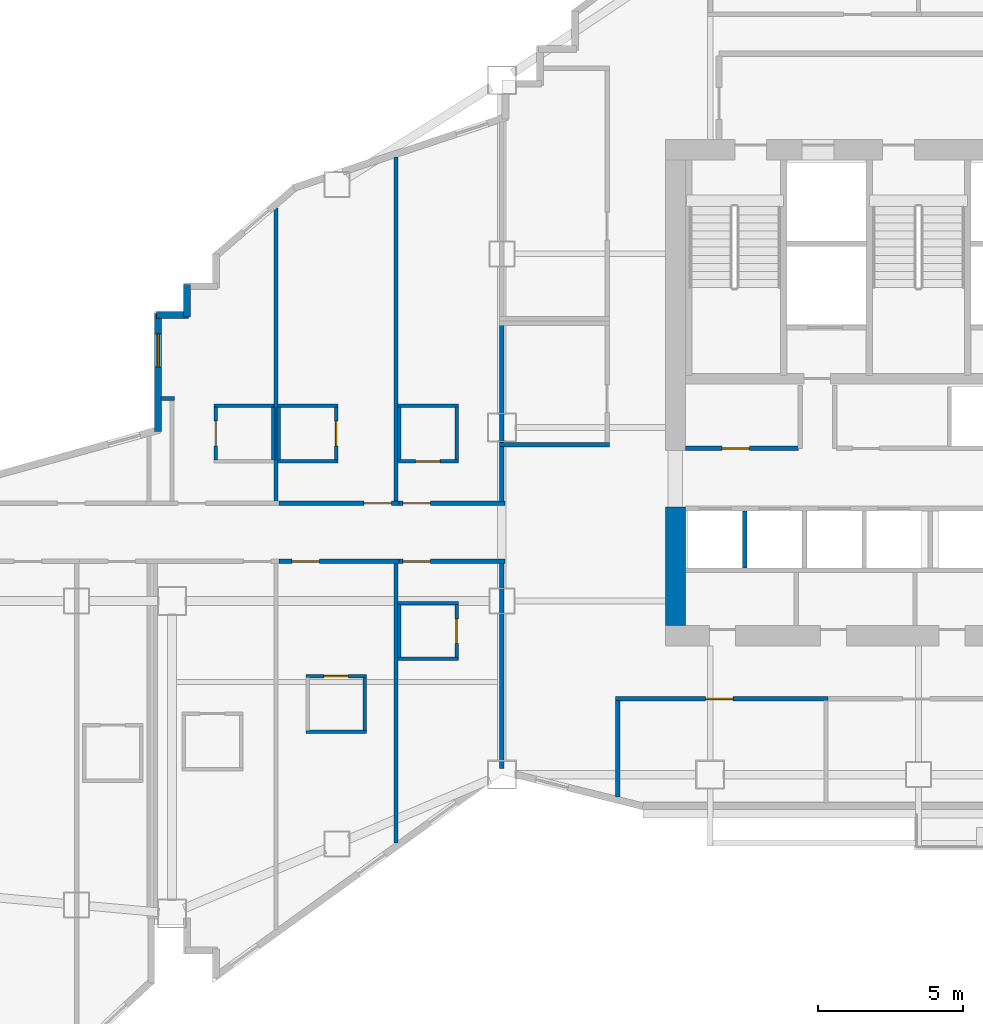
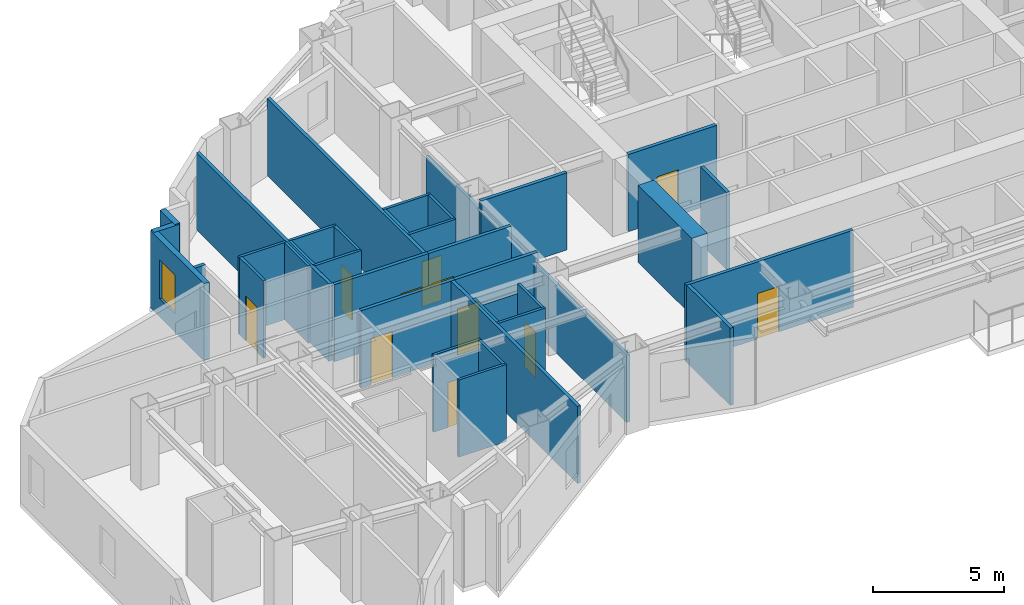
# One storey, part 8 of 15: 38 walls, 11 doors, 1 window, 12 openings.
"""IFC4 building model written with IfcOpenShell, lengths in metres."""

from ifc_helpers import new_model, si_unit, direction, frame, frame_2d, origin, place, context, subcontext, project, spatial, rectangle, extrude, material, layer, layer_set, type_object, element, fill, save


model = new_model("IFC4")

# Units and contexts
model_context = context("Model", 3, precision=1e-05, world=origin(), true_north=direction((0.0, 1.0)))
body_context = subcontext(model_context, "Body", "Model", "MODEL_VIEW")
ifc_project = project(units=[si_unit("LENGTHUNIT", "METRE"), si_unit("AREAUNIT", "SQUARE_METRE"), si_unit("VOLUMEUNIT", "CUBIC_METRE"), si_unit("PLANEANGLEUNIT", "RADIAN"), si_unit("MASSUNIT", "GRAM", prefix="KILO")], contexts=[model_context])

# Site, building, storey
site_placement = place(None, origin())
site = spatial("IfcSite", under=ifc_project, at=site_placement, CompositionType="ELEMENT")
building_placement = place(site_placement, origin())
building = spatial("IfcBuilding", under=site, at=building_placement, Name="Haolan Belvedere Tower", CompositionType="ELEMENT")
storey_placement = place(building_placement, frame((0.0, 0.0, 152.39990234375)))
storey = spatial("IfcBuildingStorey", under=building, at=storey_placement, Name="L38", CompositionType="ELEMENT", Elevation=152.39990234375)

# Walls
ifc_material_1 = material(Name="Concrete C60/75", Category="concrete")
ifc_layer_1 = layer(ifc_material_1, 0.699951171875, Name="Concrete C60/75")
ifc_layer_set_1 = layer_set([ifc_layer_1], Name="Concrete C60/75")
wall_type_1 = type_object("IfcWallType", Name="WL-CORE-700", PredefinedType="SHEAR", material=ifc_layer_set_1)
wall_1_placement = place(storey_placement, frame((30.0, 26.75, 0.0), z_axis=(0.0, 0.0, 1.0), x_axis=(0.0, 1.0, 0.0)))
element("IfcWall", 1, at=wall_1_placement, inside=storey, type_object=wall_type_1, Name="L38 central core shear wall WS", PredefinedType="SHEAR", context=body_context, shape_type="SweptSolid", body=[
    extrude(rectangle(XDim=4.10009765625, YDim=0.699951171875, at=frame_2d((2.050048828125, 0.0))), origin(), (0.0, 0.0, 1.0), 3.60009765625),
])
ifc_material_2 = material(Name="Precast concrete C40/50", Category="concrete")
ifc_layer_2 = layer(ifc_material_2, 0.239990234375, Name="Precast concrete C40/50")
ifc_layer_set_2 = layer_set([ifc_layer_2], Name="Precast concrete C40/50")
wall_type_2 = type_object("IfcWallType", Name="WL-EXT-240", PredefinedType="SOLIDWALL", material=ifc_layer_set_2)
wall_2_placement = place(storey_placement, frame((13.1201171875, 38.534912109375, 0.0), z_axis=(0.0, 0.0, 1.0), x_axis=(0.0, -1.0, 0.0)))
element("IfcWall", 2, at=wall_2_placement, inside=storey, type_object=wall_type_2, Name="L38 pale-metal exterior spandrel wall 39.1", PredefinedType="SOLIDWALL", context=body_context, shape_type="SweptSolid", body=[
    extrude(rectangle(XDim=1.10986328125, YDim=0.239990234375, at=frame_2d((0.554931640625, 0.0))), origin(), (0.0, 0.0, 1.0), 3.60009765625),
])
wall_3_placement = place(storey_placement, frame((13.175048828125, 37.47998046875, 0.0), z_axis=(0.0, 0.0, 1.0), x_axis=(-1.0, 0.0, 0.0)))
element("IfcWall", 3, at=wall_3_placement, inside=storey, type_object=wall_type_2, Name="L38 pale-metal exterior spandrel wall 40.1", PredefinedType="SOLIDWALL", context=body_context, shape_type="SweptSolid", body=[
    extrude(rectangle(XDim=1.110107421875, YDim=0.239990234375, at=frame_2d((0.55517578125, 0.0))), origin(), (0.0, 0.0, 1.0), 3.60009765625),
])

# Wall, opening, window
wall_4_placement = place(storey_placement, frame((12.1201171875, 37.534912109375, 0.0), z_axis=(0.0, 0.0, 1.0), x_axis=(0.0, -1.0, 0.0)))
wall_4 = element("IfcWall", 4, at=wall_4_placement, inside=storey, type_object=wall_type_2, Name="L38 pale-metal exterior spandrel wall 41.1", PredefinedType="SOLIDWALL", context=body_context, shape_type="SweptSolid", body=[
    extrude(rectangle(XDim=4.0810546875, YDim=0.239990234375, at=frame_2d((2.04052734375, 0.0))), origin(), (0.0, 0.0, 1.0), 3.60009765625),
])
opening_1_placement = place(wall_4_placement, frame((0.699951171875, 0.0, 0.85009765625)))
opening_1 = element("IfcOpeningElement", 5, at=opening_1_placement, cuts=wall_4, Name="Opening W-02", PredefinedType="OPENING", context=body_context, shape_type="SweptSolid", body=[
    extrude(rectangle(XDim=1.14990234375, YDim=1.800048828125, at=frame_2d((0.574951171875, 0.89990234375))), frame((0.0, 0.1298828125, 0.0), z_axis=(0.0, -1.0, 0.0), x_axis=(1.0, 0.0, 0.0)), (0.0, 0.0, 1.0), 0.260009765625),
])
ifc_material_3 = material(Name="Anodised aluminium 6063-T6 and Low-E glass", Category="aluminium")
window_type = type_object("IfcWindowType", Name="WN-DECO-Z2", PartitioningType="SINGLE_PANEL", PredefinedType="WINDOW", material=ifc_material_3)
window_placement = place(opening_1_placement, origin())
window = element("IfcWindow", 6, at=window_placement, inside=storey, type_object=window_type, Name="L38 Art Deco chevron window 1", OverallHeight=1.800048828125, OverallWidth=1.14990234375, PartitioningType="SINGLE_PANEL", PredefinedType="WINDOW", context=body_context, shape_type="SweptSolid", body=[
    extrude(rectangle(XDim=1.14990234375, YDim=1.800048828125, at=frame_2d((0.574951171875, 0.89990234375))), frame((0.0, 0.030029296875, 0.0), z_axis=(0.0, -1.0, 0.0), x_axis=(1.0, 0.0, 0.0)), (0.0, 0.0, 1.0), 0.06005859375),
])
fill(opening_1, window)

# Walls
ifc_material_4 = material(Name="Double gypsum acoustic stud partition", Category="masonry")
ifc_layer_3 = layer(ifc_material_4, 0.14990234375, Name="Double gypsum acoustic stud partition")
ifc_layer_set_3 = layer_set([ifc_layer_3], Name="Double gypsum acoustic stud partition")
wall_type_3 = type_object("IfcWallType", Name="WL-PART-150", PredefinedType="PARTITIONING", material=ifc_layer_set_3)
wall_5_placement = place(storey_placement, frame((23.919921875, 33.0, 0.0), z_axis=(0.0, 0.0, 1.0), x_axis=(1.0, 0.0, 0.0)))
element("IfcWall", 7, at=wall_5_placement, inside=storey, type_object=wall_type_3, Name="L38 interior partition IW-L38-HSK-S", PredefinedType="PARTITIONING", context=body_context, shape_type="SweptSolid", body=[
    extrude(rectangle(XDim=3.800048828125, YDim=0.14990234375, at=frame_2d((1.89990234375, 0.0))), origin(), (0.0, 0.0, 1.0), 3.60009765625),
])
wall_6_placement = place(storey_placement, frame((24.0, 33.06005859375, 0.0), z_axis=(0.0, 0.0, 1.0), x_axis=(0.0, 1.0, 0.0)))
element("IfcWall", 8, at=wall_6_placement, inside=storey, type_object=wall_type_3, Name="L38 interior partition IW-L38-HSK-W", PredefinedType="PARTITIONING", context=body_context, shape_type="SweptSolid", body=[
    extrude(rectangle(XDim=4.079833984375, YDim=0.14990234375, at=frame_2d((2.0400390625, 0.0))), origin(), (0.0, 0.0, 1.0), 3.14501953125),
])

# Wall, opening, door
wall_7_placement = place(storey_placement, frame((27.919921875, 24.219970703125, 0.0), z_axis=(0.0, 0.0, 1.0), x_axis=(1.0, 0.0, 0.0)))
wall_7 = element("IfcWall", 9, at=wall_7_placement, inside=storey, type_object=wall_type_3, Name="L38 interior partition IW-L38-KS2-N", PredefinedType="PARTITIONING", context=body_context, shape_type="SweptSolid", body=[
    extrude(rectangle(XDim=7.360107421875, YDim=0.14990234375, at=frame_2d((3.68017578125, 0.0))), origin(), (0.0, 0.0, 1.0), 3.60009765625),
])
opening_2_placement = place(wall_7_placement, frame((4.074951171875, 0.0, 0.0), z_axis=(0.0, 0.0, 1.0), x_axis=(-1.0, 0.0, 0.0)))
opening_2 = element("IfcOpeningElement", 10, at=opening_2_placement, cuts=wall_7, Name="Opening ID-03", PredefinedType="OPENING", context=body_context, shape_type="SweptSolid", body=[
    extrude(rectangle(XDim=0.949951171875, YDim=2.1201171875, at=frame_2d((0.47509765625, 1.06005859375))), frame((0.0, 0.0849609375, 0.0), z_axis=(0.0, -1.0, 0.0), x_axis=(1.0, 0.0, 0.0)), (0.0, 0.0, 1.0), 0.169921875),
])
ifc_material_5 = material(Name="Painted solid-core timber", Category="wood")
door_type_1 = type_object("IfcDoorType", Name="DR-INT-950", OperationType="NOTDEFINED", PredefinedType="DOOR", material=ifc_material_5)
door_1_placement = place(opening_2_placement, origin())
door_1 = element("IfcDoor", 11, at=door_1_placement, inside=storey, type_object=door_type_1, Name="L38 door ID-L38-KS2", OperationType="SINGLE_SWING_LEFT", OverallHeight=2.1201171875, OverallWidth=0.949951171875, PredefinedType="DOOR", context=body_context, shape_type="SweptSolid", body=[
    extrude(rectangle(XDim=0.949951171875, YDim=2.1201171875, at=frame_2d((0.47509765625, 1.06005859375))), frame((0.0, 0.02490234375, 0.0), z_axis=(0.0, -1.0, 0.0), x_axis=(1.0, 0.0, 0.0)), (0.0, 0.0, 1.0), 0.050048828125),
])
fill(opening_2, door_1)

# Walls
wall_8_placement = place(storey_placement, frame((28.0, 20.83203125, 0.0), z_axis=(0.0, 0.0, 1.0), x_axis=(0.0, 1.0, 0.0)))
element("IfcWall", 12, at=wall_8_placement, inside=storey, type_object=wall_type_3, Name="L38 interior partition IW-L38-KS2-W", PredefinedType="PARTITIONING", context=body_context, shape_type="SweptSolid", body=[
    extrude(rectangle(XDim=3.327880859375, YDim=0.14990234375, at=frame_2d((1.6640625, 0.0))), origin(), (0.0, 0.0, 1.0), 3.60009765625),
])
wall_9_placement = place(storey_placement, frame((16.18994140625, 31.0400390625, 0.0), z_axis=(0.0, 0.0, 1.0), x_axis=(0.0, 1.0, 0.0)))
element("IfcWall", 13, at=wall_9_placement, inside=storey, type_object=wall_type_3, Name="L38 interior partition IW-L38-T2N1-E", PredefinedType="PARTITIONING", context=body_context, shape_type="SweptSolid", body=[
    extrude(rectangle(XDim=10.140869140625, YDim=0.14990234375, at=frame_2d((5.0703125, 0.0))), origin(), (0.0, 0.0, 1.0), 3.60009765625),
])

# Wall, opening, door
wall_10_placement = place(storey_placement, frame((16.2919921875, 30.97998046875, 0.0), z_axis=(0.0, 0.0, 1.0), x_axis=(1.0, 0.0, 0.0)))
wall_10 = element("IfcWall", 14, at=wall_10_placement, inside=storey, type_object=wall_type_3, Name="L38 interior partition IW-L38-T2N2-S", PredefinedType="PARTITIONING", context=body_context, shape_type="SweptSolid", body=[
    extrude(rectangle(XDim=4.14794921875, YDim=0.14990234375, at=frame_2d((2.073974609375, 0.0))), origin(), (0.0, 0.0, 1.0), 3.60009765625),
])
opening_3_placement = place(wall_10_placement, frame((2.935302734375, 0.0, 0.0)))
opening_3 = element("IfcOpeningElement", 15, at=opening_3_placement, cuts=wall_10, Name="Opening ID-02", PredefinedType="OPENING", context=body_context, shape_type="SweptSolid", body=[
    extrude(rectangle(XDim=0.949951171875, YDim=2.14990234375, at=frame_2d((0.47509765625, 1.074951171875))), frame((0.0, 0.0849609375, 0.0), z_axis=(0.0, -1.0, 0.0), x_axis=(1.0, 0.0, 0.0)), (0.0, 0.0, 1.0), 0.169921875),
])
ifc_material_6 = material(Name="Acoustic oak veneer fire-rated timber", Category="wood")
door_type_2 = type_object("IfcDoorType", Name="DR-GUEST-950", OperationType="NOTDEFINED", PredefinedType="DOOR", material=ifc_material_6)
door_2_placement = place(opening_3_placement, origin())
door_2 = element("IfcDoor", 16, at=door_2_placement, inside=storey, type_object=door_type_2, Name="L38 door ID-L38-T2N2-ENT", OperationType="SINGLE_SWING_LEFT", OverallHeight=2.14990234375, OverallWidth=0.949951171875, PredefinedType="DOOR", context=body_context, shape_type="SweptSolid", body=[
    extrude(rectangle(XDim=0.949951171875, YDim=2.14990234375, at=frame_2d((0.47509765625, 1.074951171875))), frame((0.0, 0.02490234375, 0.0), z_axis=(0.0, -1.0, 0.0), x_axis=(1.0, 0.0, 0.0)), (0.0, 0.0, 1.0), 0.050048828125),
])
fill(opening_3, door_2)

# Wall
wall_11_placement = place(storey_placement, frame((20.340087890625, 31.0400390625, 0.0), z_axis=(0.0, 0.0, 1.0), x_axis=(0.0, 1.0, 0.0)))
element("IfcWall", 17, at=wall_11_placement, inside=storey, type_object=wall_type_3, Name="L38 interior partition IW-L38-T2N2-E", PredefinedType="PARTITIONING", context=body_context, shape_type="SweptSolid", body=[
    extrude(rectangle(XDim=11.90283203125, YDim=0.14990234375, at=frame_2d((5.951416015625, 0.0))), origin(), (0.0, 0.0, 1.0), 3.60009765625),
])

# Wall, opening, door
wall_12_placement = place(storey_placement, frame((20.44189453125, 30.97998046875, 0.0), z_axis=(0.0, 0.0, 1.0), x_axis=(1.0, 0.0, 0.0)))
wall_12 = element("IfcWall", 18, at=wall_12_placement, inside=storey, type_object=wall_type_3, Name="L38 interior partition IW-L38-T2N3-S", PredefinedType="PARTITIONING", context=body_context, shape_type="SweptSolid", body=[
    extrude(rectangle(XDim=3.658203125, YDim=0.14990234375, at=frame_2d((1.8291015625, 0.0))), origin(), (0.0, 0.0, 1.0), 3.60009765625),
])
opening_4_placement = place(wall_12_placement, frame((0.139892578125, 0.0, 0.0)))
opening_4 = element("IfcOpeningElement", 19, at=opening_4_placement, cuts=wall_12, Name="Opening ID-02", PredefinedType="OPENING", context=body_context, shape_type="SweptSolid", body=[
    extrude(rectangle(XDim=0.949951171875, YDim=2.14990234375, at=frame_2d((0.47509765625, 1.074951171875))), frame((0.0, 0.0849609375, 0.0), z_axis=(0.0, -1.0, 0.0), x_axis=(1.0, 0.0, 0.0)), (0.0, 0.0, 1.0), 0.169921875),
])
door_3_placement = place(opening_4_placement, origin())
door_3 = element("IfcDoor", 20, at=door_3_placement, inside=storey, type_object=door_type_2, Name="L38 door ID-L38-T2N3-ENT", OperationType="SINGLE_SWING_RIGHT", OverallHeight=2.14990234375, OverallWidth=0.949951171875, PredefinedType="DOOR", context=body_context, shape_type="SweptSolid", body=[
    extrude(rectangle(XDim=0.949951171875, YDim=2.14990234375, at=frame_2d((0.47509765625, 1.074951171875))), frame((0.0, 0.02490234375, 0.0), z_axis=(0.0, -1.0, 0.0), x_axis=(1.0, 0.0, 0.0)), (0.0, 0.0, 1.0), 0.050048828125),
])
fill(opening_4, door_3)

# Wall
wall_13_placement = place(storey_placement, frame((24.0, 31.0400390625, 0.0), z_axis=(0.0, 0.0, 1.0), x_axis=(0.0, 1.0, 0.0)))
element("IfcWall", 21, at=wall_13_placement, inside=storey, type_object=wall_type_3, Name="L38 interior partition IW-L38-T2N3-E", PredefinedType="PARTITIONING", context=body_context, shape_type="SweptSolid", body=[
    extrude(rectangle(XDim=1.89990234375, YDim=0.14990234375, at=frame_2d((0.949951171875, 0.0))), origin(), (0.0, 0.0, 1.0), 3.14501953125),
])

# Wall, opening, door
wall_14_placement = place(storey_placement, frame((16.2919921875, 28.969970703125, 0.0), z_axis=(0.0, 0.0, 1.0), x_axis=(1.0, 0.0, 0.0)))
wall_14 = element("IfcWall", 22, at=wall_14_placement, inside=storey, type_object=wall_type_3, Name="L38 interior partition IW-L38-T2S2-N", PredefinedType="PARTITIONING", context=body_context, shape_type="SweptSolid", body=[
    extrude(rectangle(XDim=4.14794921875, YDim=0.14990234375, at=frame_2d((2.073974609375, 0.0))), origin(), (0.0, 0.0, 1.0), 3.60009765625),
])
opening_5_placement = place(wall_14_placement, frame((1.395751953125, 0.0, 0.0), z_axis=(0.0, 0.0, 1.0), x_axis=(-1.0, 0.0, 0.0)))
opening_5 = element("IfcOpeningElement", 23, at=opening_5_placement, cuts=wall_14, Name="Opening ID-02", PredefinedType="OPENING", context=body_context, shape_type="SweptSolid", body=[
    extrude(rectangle(XDim=0.949951171875, YDim=2.14990234375, at=frame_2d((0.47509765625, 1.074951171875))), frame((0.0, 0.0849609375, 0.0), z_axis=(0.0, -1.0, 0.0), x_axis=(1.0, 0.0, 0.0)), (0.0, 0.0, 1.0), 0.169921875),
])
door_4_placement = place(opening_5_placement, origin())
door_4 = element("IfcDoor", 24, at=door_4_placement, inside=storey, type_object=door_type_2, Name="L38 door ID-L38-T2S2-ENT", OperationType="SINGLE_SWING_RIGHT", OverallHeight=2.14990234375, OverallWidth=0.949951171875, PredefinedType="DOOR", context=body_context, shape_type="SweptSolid", body=[
    extrude(rectangle(XDim=0.949951171875, YDim=2.14990234375, at=frame_2d((0.47509765625, 1.074951171875))), frame((0.0, 0.02490234375, 0.0), z_axis=(0.0, -1.0, 0.0), x_axis=(1.0, 0.0, 0.0)), (0.0, 0.0, 1.0), 0.050048828125),
])
fill(opening_5, door_4)

# Wall
wall_15_placement = place(storey_placement, frame((20.340087890625, 19.241943359375, 0.0), z_axis=(0.0, 0.0, 1.0), x_axis=(0.0, 1.0, 0.0)))
element("IfcWall", 25, at=wall_15_placement, inside=storey, type_object=wall_type_3, Name="L38 interior partition IW-L38-T2S2-E", PredefinedType="PARTITIONING", context=body_context, shape_type="SweptSolid", body=[
    extrude(rectangle(XDim=9.66796875, YDim=0.14990234375, at=frame_2d((4.833984375, 0.0))), origin(), (0.0, 0.0, 1.0), 3.60009765625),
])

# Wall, opening, door
wall_16_placement = place(storey_placement, frame((20.44189453125, 28.969970703125, 0.0), z_axis=(0.0, 0.0, 1.0), x_axis=(1.0, 0.0, 0.0)))
wall_16 = element("IfcWall", 26, at=wall_16_placement, inside=storey, type_object=wall_type_3, Name="L38 interior partition IW-L38-T2S3-N", PredefinedType="PARTITIONING", context=body_context, shape_type="SweptSolid", body=[
    extrude(rectangle(XDim=3.658203125, YDim=0.14990234375, at=frame_2d((1.8291015625, 0.0))), origin(), (0.0, 0.0, 1.0), 3.60009765625),
])
opening_6_placement = place(wall_16_placement, frame((1.08984375, 0.0, 0.0), z_axis=(0.0, 0.0, 1.0), x_axis=(-1.0, 0.0, 0.0)))
opening_6 = element("IfcOpeningElement", 27, at=opening_6_placement, cuts=wall_16, Name="Opening ID-02", PredefinedType="OPENING", context=body_context, shape_type="SweptSolid", body=[
    extrude(rectangle(XDim=0.949951171875, YDim=2.14990234375, at=frame_2d((0.47509765625, 1.074951171875))), frame((0.0, 0.0849609375, 0.0), z_axis=(0.0, -1.0, 0.0), x_axis=(1.0, 0.0, 0.0)), (0.0, 0.0, 1.0), 0.169921875),
])
door_5_placement = place(opening_6_placement, origin())
door_5 = element("IfcDoor", 28, at=door_5_placement, inside=storey, type_object=door_type_2, Name="L38 door ID-L38-T2S3-ENT", OperationType="SINGLE_SWING_LEFT", OverallHeight=2.14990234375, OverallWidth=0.949951171875, PredefinedType="DOOR", context=body_context, shape_type="SweptSolid", body=[
    extrude(rectangle(XDim=0.949951171875, YDim=2.14990234375, at=frame_2d((0.47509765625, 1.074951171875))), frame((0.0, 0.02490234375, 0.0), z_axis=(0.0, -1.0, 0.0), x_axis=(1.0, 0.0, 0.0)), (0.0, 0.0, 1.0), 0.050048828125),
])
fill(opening_6, door_5)

# Walls
wall_17_placement = place(storey_placement, frame((24.0, 21.818603515625, 0.0), z_axis=(0.0, 0.0, 1.0), x_axis=(0.0, 1.0, 0.0)))
element("IfcWall", 29, at=wall_17_placement, inside=storey, type_object=wall_type_3, Name="L38 interior partition IW-L38-T2S3-E", PredefinedType="PARTITIONING", context=body_context, shape_type="SweptSolid", body=[
    extrude(rectangle(XDim=7.09130859375, YDim=0.14990234375, at=frame_2d((3.545654296875, 0.0))), origin(), (0.0, 0.0, 1.0), 3.14501953125),
])
wall_18_placement = place(storey_placement, frame((12.22509765625, 34.60009765625, 0.0), z_axis=(0.0, 0.0, 1.0), x_axis=(1.0, 0.0, 0.0)))
element("IfcWall", 30, at=wall_18_placement, inside=storey, type_object=wall_type_3, Name="L38 interior partition IW-L38-T1N1-N", PredefinedType="PARTITIONING", context=body_context, shape_type="SweptSolid", body=[
    extrude(rectangle(XDim=0.454833984375, YDim=0.14990234375, at=frame_2d((0.2275390625, 0.0))), origin(), (0.0, 0.0, 1.0), 3.60009765625),
])

# Wall, opening, door
ifc_material_7 = material(Name="Gypsum fire shaftwall assembly", Category="masonry")
ifc_layer_4 = layer(ifc_material_7, 0.1650390625, Name="Gypsum fire shaftwall assembly")
ifc_layer_set_4 = layer_set([ifc_layer_4], Name="Gypsum fire shaftwall assembly")
wall_type_4 = type_object("IfcWallType", Name="WL-SHAFT-160", PredefinedType="SOLIDWALL", material=ifc_layer_set_4)
wall_19_placement = place(storey_placement, frame((30.35009765625, 32.8798828125, 0.0), z_axis=(0.0, 0.0, 1.0), x_axis=(1.0, 0.0, 0.0)))
wall_19 = element("IfcWall", 31, at=wall_19_placement, inside=storey, type_object=wall_type_4, Name="L38 interior partition IW-L38-ROW-PN1", PredefinedType="SOLIDWALL", context=body_context, shape_type="SweptSolid", body=[
    extrude(rectangle(XDim=3.89990234375, YDim=0.159912109375, at=frame_2d((1.949951171875, 0.0))), origin(), (0.0, 0.0, 1.0), 3.60009765625),
])
opening_7_placement = place(wall_19_placement, frame((2.199951171875, 0.0, 0.0), z_axis=(0.0, 0.0, 1.0), x_axis=(-1.0, 0.0, 0.0)))
opening_7 = element("IfcOpeningElement", 32, at=opening_7_placement, cuts=wall_19, Name="Opening ID-03", PredefinedType="OPENING", context=body_context, shape_type="SweptSolid", body=[
    extrude(rectangle(XDim=0.949951171875, YDim=2.1201171875, at=frame_2d((0.47509765625, 1.06005859375))), frame((0.0, 0.08984375, 0.0), z_axis=(0.0, -1.0, 0.0), x_axis=(1.0, 0.0, 0.0)), (0.0, 0.0, 1.0), 0.179931640625),
])
door_6_placement = place(opening_7_placement, origin())
door_6 = element("IfcDoor", 33, at=door_6_placement, inside=storey, type_object=door_type_1, Name="L38 door ID-L38-CD-RPLW", OperationType="SINGLE_SWING_LEFT", OverallHeight=2.1201171875, OverallWidth=0.949951171875, PredefinedType="DOOR", context=body_context, shape_type="SweptSolid", body=[
    extrude(rectangle(XDim=0.949951171875, YDim=2.1201171875, at=frame_2d((0.47509765625, 1.06005859375))), frame((0.0, 0.02490234375, 0.0), z_axis=(0.0, -1.0, 0.0), x_axis=(1.0, 0.0, 0.0)), (0.0, 0.0, 1.0), 0.050048828125),
])
fill(opening_7, door_6)

# Walls
wall_20_placement = place(storey_placement, frame((32.39990234375, 28.735107421875, 0.0), z_axis=(0.0, 0.0, 1.0), x_axis=(0.0, 1.0, 0.0)))
element("IfcWall", 34, at=wall_20_placement, inside=storey, type_object=wall_type_4, Name="L38 interior partition IW-L38-DIV-PM1", PredefinedType="SOLIDWALL", context=body_context, shape_type="SweptSolid", body=[
    extrude(rectangle(XDim=1.98486328125, YDim=0.14990234375, at=frame_2d((0.992431640625, 0.0))), origin(), (0.0, 0.0, 1.0), 3.60009765625),
])
ifc_material_8 = material(Name="Moisture-resistant gypsum tile partition", Category="masonry")
ifc_layer_5 = layer(ifc_material_8, 0.1201171875, Name="Moisture-resistant gypsum tile partition")
ifc_layer_set_5 = layer_set([ifc_layer_5], Name="Moisture-resistant gypsum tile partition")
wall_type_5 = type_object("IfcWallType", Name="WL-WET-120", PredefinedType="PARTITIONING", material=ifc_layer_set_5)
wall_21_placement = place(storey_placement, frame((14.050048828125, 34.35009765625, 0.0), z_axis=(0.0, 0.0, 1.0), x_axis=(1.0, 0.0, 0.0)))
element("IfcWall", 35, at=wall_21_placement, inside=storey, type_object=wall_type_5, Name="L38 interior partition IW-L38-T2N1-BN", PredefinedType="PARTITIONING", context=body_context, shape_type="SweptSolid", body=[
    extrude(rectangle(XDim=2.079833984375, YDim=0.1201171875, at=frame_2d((1.0400390625, 0.0))), origin(), (0.0, 0.0, 1.0), 3.60009765625),
])

# Wall, opening, door
wall_22_placement = place(storey_placement, frame((14.110107421875, 32.47509765625, 0.0), z_axis=(0.0, 0.0, 1.0), x_axis=(0.0, 1.0, 0.0)))
wall_22 = element("IfcWall", 36, at=wall_22_placement, inside=storey, type_object=wall_type_5, Name="L38 interior partition IW-L38-T2N1-BW", PredefinedType="PARTITIONING", context=body_context, shape_type="SweptSolid", body=[
    extrude(rectangle(XDim=1.829833984375, YDim=0.1201171875, at=frame_2d((0.9150390625, 0.0))), origin(), (0.0, 0.0, 1.0), 3.60009765625),
])
opening_8_placement = place(wall_22_placement, frame((1.340087890625, 0.0, 0.0), z_axis=(0.0, 0.0, 1.0), x_axis=(-1.0, 0.0, 0.0)))
opening_8 = element("IfcOpeningElement", 37, at=opening_8_placement, cuts=wall_22, Name="Opening ID-05", PredefinedType="OPENING", context=body_context, shape_type="SweptSolid", body=[
    extrude(rectangle(XDim=0.85009765625, YDim=2.10009765625, at=frame_2d((0.425048828125, 1.050048828125))), frame((0.0, 0.070068359375, 0.0), z_axis=(0.0, -1.0, 0.0), x_axis=(1.0, 0.0, 0.0)), (0.0, 0.0, 1.0), 0.14013671875),
])
ifc_material_9 = material(Name="Moisture-resistant lacquered timber", Category="wood")
door_type_3 = type_object("IfcDoorType", Name="DR-BATH-850", OperationType="NOTDEFINED", PredefinedType="DOOR", material=ifc_material_9)
door_7_placement = place(opening_8_placement, origin())
door_7 = element("IfcDoor", 38, at=door_7_placement, inside=storey, type_object=door_type_3, Name="L38 door ID-L38-T2N1-BATH", OperationType="SINGLE_SWING_LEFT", OverallHeight=2.10009765625, OverallWidth=0.85009765625, PredefinedType="DOOR", context=body_context, shape_type="SweptSolid", body=[
    extrude(rectangle(XDim=0.85009765625, YDim=2.10009765625, at=frame_2d((0.425048828125, 1.050048828125))), frame((0.0, 0.02490234375, 0.0), z_axis=(0.0, -1.0, 0.0), x_axis=(1.0, 0.0, 0.0)), (0.0, 0.0, 1.0), 0.050048828125),
])
fill(opening_8, door_7)

# Walls
wall_23_placement = place(storey_placement, frame((16.090087890625, 32.47509765625, 0.0), z_axis=(0.0, 0.0, 1.0), x_axis=(0.0, 1.0, 0.0)))
element("IfcWall", 39, at=wall_23_placement, inside=storey, type_object=wall_type_5, Name="L38 interior partition IW-L38-T2N1-BE", PredefinedType="PARTITIONING", context=body_context, shape_type="SweptSolid", body=[
    extrude(rectangle(XDim=1.829833984375, YDim=0.1201171875, at=frame_2d((0.9150390625, 0.0))), origin(), (0.0, 0.0, 1.0), 3.60009765625),
])
for number, where, z_axis, x_axis, name in (
    (40, (16.25, 34.35009765625, 0.0), (0.0, 0.0, 1.0), (1.0, 0.0, 0.0), "L38 interior partition IW-L38-T2N2-BN"),
    (41, (16.25, 32.429931640625, 0.0), (0.0, 0.0, 1.0), (1.0, 0.0, 0.0), "L38 interior partition IW-L38-T2N2-BS"),
):
    element("IfcWall", number, at=place(storey_placement, frame(where, z_axis=z_axis, x_axis=x_axis)), inside=storey, type_object=wall_type_5, Name=name, PredefinedType="PARTITIONING", context=body_context, shape_type="SweptSolid", body=[
        extrude(rectangle(XDim=2.080078125, YDim=0.1201171875, at=frame_2d((1.0400390625, 0.0))), origin(), (0.0, 0.0, 1.0), 3.60009765625),
    ])
wall_24_placement = place(storey_placement, frame((16.2900390625, 32.47509765625, 0.0), z_axis=(0.0, 0.0, 1.0), x_axis=(0.0, 1.0, 0.0)))
element("IfcWall", 42, at=wall_24_placement, inside=storey, type_object=wall_type_5, Name="L38 interior partition IW-L38-T2N2-BW", PredefinedType="PARTITIONING", context=body_context, shape_type="SweptSolid", body=[
    extrude(rectangle(XDim=1.829833984375, YDim=0.1201171875, at=frame_2d((0.9150390625, 0.0))), origin(), (0.0, 0.0, 1.0), 3.60009765625),
])

# Wall, opening, door
wall_25_placement = place(storey_placement, frame((18.27001953125, 32.47509765625, 0.0), z_axis=(0.0, 0.0, 1.0), x_axis=(0.0, 1.0, 0.0)))
wall_25 = element("IfcWall", 43, at=wall_25_placement, inside=storey, type_object=wall_type_5, Name="L38 interior partition IW-L38-T2N2-BE", PredefinedType="PARTITIONING", context=body_context, shape_type="SweptSolid", body=[
    extrude(rectangle(XDim=1.829833984375, YDim=0.1201171875, at=frame_2d((0.9150390625, 0.0))), origin(), (0.0, 0.0, 1.0), 3.60009765625),
])
opening_9_placement = place(wall_25_placement, frame((0.489990234375, 0.0, 0.0)))
opening_9 = element("IfcOpeningElement", 44, at=opening_9_placement, cuts=wall_25, Name="Opening ID-05", PredefinedType="OPENING", context=body_context, shape_type="SweptSolid", body=[
    extrude(rectangle(XDim=0.85009765625, YDim=2.10009765625, at=frame_2d((0.425048828125, 1.050048828125))), frame((0.0, 0.070068359375, 0.0), z_axis=(0.0, -1.0, 0.0), x_axis=(1.0, 0.0, 0.0)), (0.0, 0.0, 1.0), 0.14013671875),
])
door_8_placement = place(opening_9_placement, origin())
door_8 = element("IfcDoor", 45, at=door_8_placement, inside=storey, type_object=door_type_3, Name="L38 door ID-L38-T2N2-BATH", OperationType="SINGLE_SWING_RIGHT", OverallHeight=2.10009765625, OverallWidth=0.85009765625, PredefinedType="DOOR", context=body_context, shape_type="SweptSolid", body=[
    extrude(rectangle(XDim=0.85009765625, YDim=2.10009765625, at=frame_2d((0.425048828125, 1.050048828125))), frame((0.0, 0.02490234375, 0.0), z_axis=(0.0, -1.0, 0.0), x_axis=(1.0, 0.0, 0.0)), (0.0, 0.0, 1.0), 0.050048828125),
])
fill(opening_9, door_8)

# Wall
wall_26_placement = place(storey_placement, frame((20.39990234375, 34.35009765625, 0.0), z_axis=(0.0, 0.0, 1.0), x_axis=(1.0, 0.0, 0.0)))
element("IfcWall", 46, at=wall_26_placement, inside=storey, type_object=wall_type_5, Name="L38 interior partition IW-L38-T2N3-BN", PredefinedType="PARTITIONING", context=body_context, shape_type="SweptSolid", body=[
    extrude(rectangle(XDim=2.09423828125, YDim=0.1201171875, at=frame_2d((1.047119140625, 0.0))), origin(), (0.0, 0.0, 1.0), 3.60009765625),
])

# Wall, opening, door
wall_27_placement = place(storey_placement, frame((20.39990234375, 32.429931640625, 0.0), z_axis=(0.0, 0.0, 1.0), x_axis=(1.0, 0.0, 0.0)))
wall_27 = element("IfcWall", 47, at=wall_27_placement, inside=storey, type_object=wall_type_5, Name="L38 interior partition IW-L38-T2N3-BS", PredefinedType="PARTITIONING", context=body_context, shape_type="SweptSolid", body=[
    extrude(rectangle(XDim=2.09423828125, YDim=0.1201171875, at=frame_2d((1.047119140625, 0.0))), origin(), (0.0, 0.0, 1.0), 3.60009765625),
])
opening_10_placement = place(wall_27_placement, frame((0.619140625, 0.0, 0.0)))
opening_10 = element("IfcOpeningElement", 48, at=opening_10_placement, cuts=wall_27, Name="Opening ID-05", PredefinedType="OPENING", context=body_context, shape_type="SweptSolid", body=[
    extrude(rectangle(XDim=0.85009765625, YDim=2.10009765625, at=frame_2d((0.425048828125, 1.050048828125))), frame((0.0, 0.070068359375, 0.0), z_axis=(0.0, -1.0, 0.0), x_axis=(1.0, 0.0, 0.0)), (0.0, 0.0, 1.0), 0.14013671875),
])
door_9_placement = place(opening_10_placement, origin())
door_9 = element("IfcDoor", 49, at=door_9_placement, inside=storey, type_object=door_type_3, Name="L38 door ID-L38-T2N3-BATH", OperationType="SINGLE_SWING_LEFT", OverallHeight=2.10009765625, OverallWidth=0.85009765625, PredefinedType="DOOR", context=body_context, shape_type="SweptSolid", body=[
    extrude(rectangle(XDim=0.85009765625, YDim=2.10009765625, at=frame_2d((0.425048828125, 1.050048828125))), frame((0.0, 0.02490234375, 0.0), z_axis=(0.0, -1.0, 0.0), x_axis=(1.0, 0.0, 0.0)), (0.0, 0.0, 1.0), 0.050048828125),
])
fill(opening_10, door_9)

# Walls
for number, where, z_axis, x_axis, name in (
    (50, (20.4541015625, 32.47509765625, 0.0), (0.0, 0.0, 1.0), (0.0, 1.0, 0.0), "L38 interior partition IW-L38-T2N3-BW"),
    (51, (22.43408203125, 32.47509765625, 0.0), (0.0, 0.0, 1.0), (0.0, 1.0, 0.0), "L38 interior partition IW-L38-T2N3-BE"),
):
    element("IfcWall", number, at=place(storey_placement, frame(where, z_axis=z_axis, x_axis=x_axis)), inside=storey, type_object=wall_type_5, Name=name, PredefinedType="PARTITIONING", context=body_context, shape_type="SweptSolid", body=[
        extrude(rectangle(XDim=1.829833984375, YDim=0.1201171875, at=frame_2d((0.9150390625, 0.0))), origin(), (0.0, 0.0, 1.0), 3.60009765625),
    ])

# Wall, opening, door
wall_28_placement = place(storey_placement, frame((17.222900390625, 25.007080078125, 0.0), z_axis=(0.0, 0.0, 1.0), x_axis=(1.0, 0.0, 0.0)))
wall_28 = element("IfcWall", 52, at=wall_28_placement, inside=storey, type_object=wall_type_5, Name="L38 interior partition IW-L38-T2S2-BN", PredefinedType="PARTITIONING", context=body_context, shape_type="SweptSolid", body=[
    extrude(rectangle(XDim=2.10009765625, YDim=0.1201171875, at=frame_2d((1.050048828125, 0.0))), origin(), (0.0, 0.0, 1.0), 3.60009765625),
])
opening_11_placement = place(wall_28_placement, frame((1.47509765625, 0.0, 0.0), z_axis=(0.0, 0.0, 1.0), x_axis=(-1.0, 0.0, 0.0)))
opening_11 = element("IfcOpeningElement", 53, at=opening_11_placement, cuts=wall_28, Name="Opening ID-05", PredefinedType="OPENING", context=body_context, shape_type="SweptSolid", body=[
    extrude(rectangle(XDim=0.85009765625, YDim=2.10009765625, at=frame_2d((0.425048828125, 1.050048828125))), frame((0.0, 0.070068359375, 0.0), z_axis=(0.0, -1.0, 0.0), x_axis=(1.0, 0.0, 0.0)), (0.0, 0.0, 1.0), 0.14013671875),
])
door_10_placement = place(opening_11_placement, origin())
door_10 = element("IfcDoor", 54, at=door_10_placement, inside=storey, type_object=door_type_3, Name="L38 door ID-L38-T2S2-BATH", OperationType="SINGLE_SWING_LEFT", OverallHeight=2.10009765625, OverallWidth=0.85009765625, PredefinedType="DOOR", context=body_context, shape_type="SweptSolid", body=[
    extrude(rectangle(XDim=0.85009765625, YDim=2.10009765625, at=frame_2d((0.425048828125, 1.050048828125))), frame((0.0, 0.02490234375, 0.0), z_axis=(0.0, -1.0, 0.0), x_axis=(1.0, 0.0, 0.0)), (0.0, 0.0, 1.0), 0.050048828125),
])
fill(opening_11, door_10)

# Walls
wall_29_placement = place(storey_placement, frame((17.222900390625, 23.0869140625, 0.0), z_axis=(0.0, 0.0, 1.0), x_axis=(1.0, 0.0, 0.0)))
element("IfcWall", 55, at=wall_29_placement, inside=storey, type_object=wall_type_5, Name="L38 interior partition IW-L38-T2S2-BS", PredefinedType="PARTITIONING", context=body_context, shape_type="SweptSolid", body=[
    extrude(rectangle(XDim=2.10009765625, YDim=0.1201171875, at=frame_2d((1.050048828125, 0.0))), origin(), (0.0, 0.0, 1.0), 3.60009765625),
])
wall_30_placement = place(storey_placement, frame((19.262939453125, 23.132080078125, 0.0), z_axis=(0.0, 0.0, 1.0), x_axis=(0.0, 1.0, 0.0)))
element("IfcWall", 56, at=wall_30_placement, inside=storey, type_object=wall_type_5, Name="L38 interior partition IW-L38-T2S2-BE", PredefinedType="PARTITIONING", context=body_context, shape_type="SweptSolid", body=[
    extrude(rectangle(XDim=1.829833984375, YDim=0.1201171875, at=frame_2d((0.9150390625, 0.0))), origin(), (0.0, 0.0, 1.0), 3.60009765625),
])
wall_31_placement = place(storey_placement, frame((20.39990234375, 27.52001953125, 0.0), z_axis=(0.0, 0.0, 1.0), x_axis=(1.0, 0.0, 0.0)))
element("IfcWall", 57, at=wall_31_placement, inside=storey, type_object=wall_type_5, Name="L38 interior partition IW-L38-T2S3-BN", PredefinedType="PARTITIONING", context=body_context, shape_type="SweptSolid", body=[
    extrude(rectangle(XDim=2.09521484375, YDim=0.1201171875, at=frame_2d((1.047607421875, 0.0))), origin(), (0.0, 0.0, 1.0), 3.14501953125),
])
wall_32_placement = place(storey_placement, frame((20.39990234375, 25.60009765625, 0.0), z_axis=(0.0, 0.0, 1.0), x_axis=(1.0, 0.0, 0.0)))
element("IfcWall", 58, at=wall_32_placement, inside=storey, type_object=wall_type_5, Name="L38 interior partition IW-L38-T2S3-BS", PredefinedType="PARTITIONING", context=body_context, shape_type="SweptSolid", body=[
    extrude(rectangle(XDim=2.09521484375, YDim=0.1201171875, at=frame_2d((1.047607421875, 0.0))), origin(), (0.0, 0.0, 1.0), 3.60009765625),
])
wall_33_placement = place(storey_placement, frame((20.455078125, 25.64501953125, 0.0), z_axis=(0.0, 0.0, 1.0), x_axis=(0.0, 1.0, 0.0)))
element("IfcWall", 59, at=wall_33_placement, inside=storey, type_object=wall_type_5, Name="L38 interior partition IW-L38-T2S3-BW", PredefinedType="PARTITIONING", context=body_context, shape_type="SweptSolid", body=[
    extrude(rectangle(XDim=1.830078125, YDim=0.1201171875, at=frame_2d((0.9150390625, 0.0))), origin(), (0.0, 0.0, 1.0), 3.60009765625),
])

# Wall, opening, door
wall_34_placement = place(storey_placement, frame((22.43505859375, 25.64501953125, 0.0), z_axis=(0.0, 0.0, 1.0), x_axis=(0.0, 1.0, 0.0)))
wall_34 = element("IfcWall", 60, at=wall_34_placement, inside=storey, type_object=wall_type_5, Name="L38 interior partition IW-L38-T2S3-BE", PredefinedType="PARTITIONING", context=body_context, shape_type="SweptSolid", body=[
    extrude(rectangle(XDim=1.830078125, YDim=0.1201171875, at=frame_2d((0.9150390625, 0.0))), origin(), (0.0, 0.0, 1.0), 3.60009765625),
])
opening_12_placement = place(wall_34_placement, frame((0.489990234375, 0.0, 0.0)))
opening_12 = element("IfcOpeningElement", 61, at=opening_12_placement, cuts=wall_34, Name="Opening ID-05", PredefinedType="OPENING", context=body_context, shape_type="SweptSolid", body=[
    extrude(rectangle(XDim=0.85009765625, YDim=2.10009765625, at=frame_2d((0.425048828125, 1.050048828125))), frame((0.0, 0.070068359375, 0.0), z_axis=(0.0, -1.0, 0.0), x_axis=(1.0, 0.0, 0.0)), (0.0, 0.0, 1.0), 0.14013671875),
])
door_11_placement = place(opening_12_placement, origin())
door_11 = element("IfcDoor", 62, at=door_11_placement, inside=storey, type_object=door_type_3, Name="L38 door ID-L38-T2S3-BATH", OperationType="SINGLE_SWING_RIGHT", OverallHeight=2.10009765625, OverallWidth=0.85009765625, PredefinedType="DOOR", context=body_context, shape_type="SweptSolid", body=[
    extrude(rectangle(XDim=0.85009765625, YDim=2.10009765625, at=frame_2d((0.425048828125, 1.050048828125))), frame((0.0, 0.02490234375, 0.0), z_axis=(0.0, -1.0, 0.0), x_axis=(1.0, 0.0, 0.0)), (0.0, 0.0, 1.0), 0.050048828125),
])
fill(opening_12, door_11)

save(model, "model.ifc")
